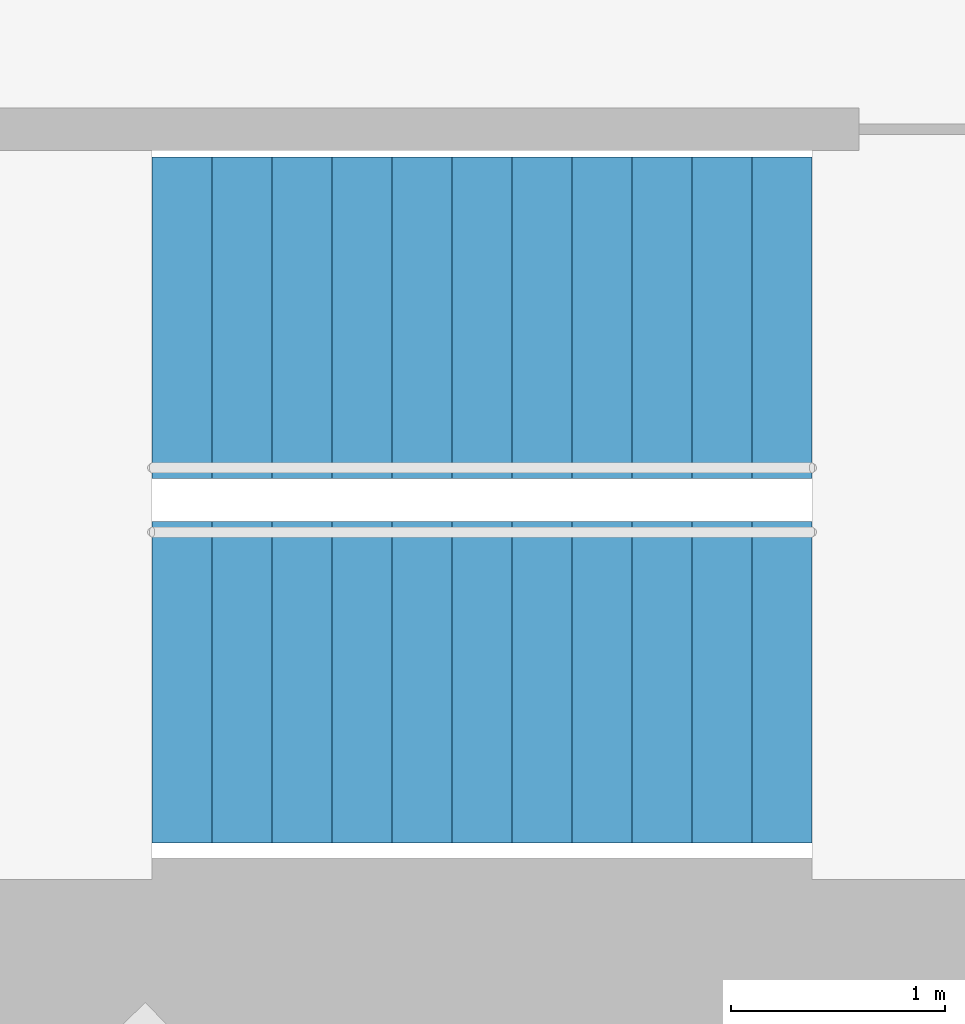
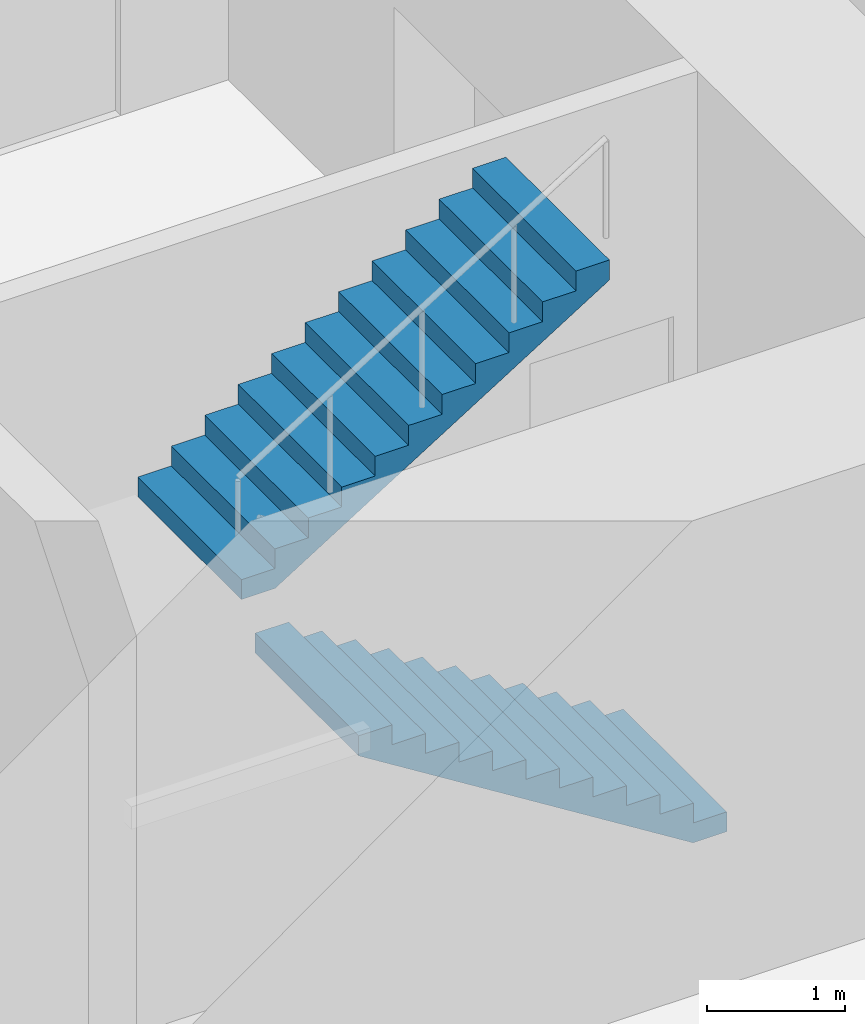
# One storey, part 17 of 18: 2 stair flights, 1 element without a shape of its own.
"""IFC4 building model written with IfcOpenShell, lengths in metres."""

from ifc_helpers import new_model, si_unit, direction, frame, origin, place, context, subcontext, project, spatial, triangles, material, type_object, element, aggregate, save


model = new_model("IFC4")

# Units and contexts
model_context = context("Model", 3, precision=1e-05, world=origin(), true_north=direction((0.0, 1.0)))
body_context = subcontext(model_context, "Body", "Model", "MODEL_VIEW")
ifc_project = project(units=[si_unit("LENGTHUNIT", "METRE"), si_unit("AREAUNIT", "SQUARE_METRE"), si_unit("VOLUMEUNIT", "CUBIC_METRE"), si_unit("PLANEANGLEUNIT", "RADIAN"), si_unit("MASSUNIT", "GRAM", prefix="KILO")], contexts=[model_context])

# Site, building, storey
site_placement = place(None, origin())
site = spatial("IfcSite", under=ifc_project, at=site_placement, CompositionType="ELEMENT")
building_placement = place(site_placement, origin())
building = spatial("IfcBuilding", under=site, at=building_placement, Name="Lantaw Convention Tower", CompositionType="ELEMENT")
storey_placement = place(building_placement, frame((0.0, 0.0, 176.199951171875)))
storey = spatial("IfcBuildingStorey", under=building, at=storey_placement, Name="L41", CompositionType="ELEMENT", Elevation=176.199951171875)

# Stair, stair flights
ifc_material = material(Name="Concrete C35/45", Category="concrete")
stair_type = type_object("IfcStairType", Name="Exit stair 1500 riser 175 in 2 flights", PredefinedType="HALF_TURN_STAIR", material=ifc_material)
stair_placement = place(storey_placement, origin())
stair = element("IfcStair", 1, at=stair_placement, inside=storey, type_object=stair_type, Name="Exit stair S2 L41", PredefinedType="HALF_TURN_STAIR")
stair_flight_type = type_object("IfcStairFlightType", Name="Stair flight 1500 riser 175", PredefinedType="STRAIGHT", material=ifc_material)
stair_flight_1_placement = place(storey_placement, frame((10.580078125, -5.97998046875, 0.0), z_axis=(0.0, 0.0, 1.0), x_axis=(-1.0, 0.0, 0.0)))
stair_flight_1 = element("IfcStairFlight", 2, at=stair_flight_1_placement, type_object=stair_flight_type, Name="S2 flight 1", NumberOfRisers=12, NumberOfTreads=11, PredefinedType="STRAIGHT", RiserHeight=0.175, TreadLength=0.28, context=body_context, shape_type="Tessellation", body=[
    triangles([(0.0, 0.75, 0.0), (0.0, 0.75, 0.175), (0.28, 0.75, 0.0), (0.28, 0.75, 0.175), (0.28, 0.75, 0.35), (0.28283517651771284, 0.75, 0.0), (0.28283517651771284, 0.75, 0.35), (0.56, 0.75, 0.17322801467642948), (0.56, 0.75, 0.35), (0.56, 0.75, 0.5249999999999999), (0.8400000000000001, 0.75, 0.34822801467642944), (0.8400000000000001, 0.75, 0.5249999999999999), (0.8400000000000001, 0.75, 0.7), (1.12, 0.75, 0.5232280146764294), (1.12, 0.75, 0.7), (1.12, 0.75, 0.875), (1.4000000000000001, 0.75, 0.6982280146764295), (1.4000000000000001, 0.75, 0.875), (1.4000000000000001, 0.75, 1.0499999999999998), (1.6800000000000002, 0.75, 0.8732280146764294), (1.6800000000000002, 0.75, 1.0499999999999998), (1.6800000000000002, 0.75, 1.2249999999999999), (1.9600000000000002, 0.75, 1.0482280146764293), (1.9600000000000002, 0.75, 1.2249999999999999), (1.9600000000000002, 0.75, 1.4), (2.24, 0.75, 1.2232280146764294), (2.24, 0.75, 1.4), (2.24, 0.75, 1.575), (2.5200000000000005, 0.75, 1.3982280146764294), (2.5200000000000005, 0.75, 1.575), (2.5200000000000005, 0.75, 1.75), (2.8000000000000003, 0.75, 1.5732280146764293), (2.8000000000000003, 0.75, 1.75), (2.8000000000000003, 0.75, 1.9249999999999998), (3.08, 0.75, 1.7482280146764293), (3.08, 0.75, 1.9249999999999998), (0.0, -0.75, 0.0), (0.0, -0.75, 0.175), (0.28, -0.75, 0.0), (0.28, -0.75, 0.175), (0.28, -0.75, 0.35), (0.28283517651771284, -0.75, 0.0), (0.28283517651771284, -0.75, 0.35), (0.56, -0.75, 0.17322801467642948), (0.56, -0.75, 0.35), (0.56, -0.75, 0.5249999999999999), (0.8400000000000001, -0.75, 0.34822801467642944), (0.8400000000000001, -0.75, 0.5249999999999999), (0.8400000000000001, -0.75, 0.7), (1.12, -0.75, 0.5232280146764294), (1.12, -0.75, 0.7), (1.12, -0.75, 0.875), (1.4000000000000001, -0.75, 0.6982280146764295), (1.4000000000000001, -0.75, 0.875), (1.4000000000000001, -0.75, 1.0499999999999998), (1.6800000000000002, -0.75, 0.8732280146764294), (1.6800000000000002, -0.75, 1.0499999999999998), (1.6800000000000002, -0.75, 1.2249999999999999), (1.9600000000000002, -0.75, 1.0482280146764293), (1.9600000000000002, -0.75, 1.2249999999999999), (1.9600000000000002, -0.75, 1.4), (2.24, -0.75, 1.2232280146764294), (2.24, -0.75, 1.4), (2.24, -0.75, 1.575), (2.5200000000000005, -0.75, 1.3982280146764294), (2.5200000000000005, -0.75, 1.575), (2.5200000000000005, -0.75, 1.75), (2.8000000000000003, -0.75, 1.5732280146764293), (2.8000000000000003, -0.75, 1.75), (2.8000000000000003, -0.75, 1.9249999999999998), (3.08, -0.75, 1.7482280146764293), (3.08, -0.75, 1.9249999999999998), (0.0, 0.15000000000000002, 0.175), (0.0, 0.15000000000000002, 0.0), (0.0, 0.0, 0.175), (0.0, 0.0, 0.0), (0.0, -0.15000000000000002, 0.175), (0.0, -0.15000000000000002, 0.0), (0.28, 0.15000000000000002, 0.35), (0.28, 0.15000000000000002, 0.175), (0.28, 0.0, 0.35), (0.28, 0.0, 0.175), (0.28, -0.15000000000000002, 0.35), (0.28, -0.15000000000000002, 0.175), (0.56, 0.15000000000000002, 0.5249999999999999), (0.56, 0.15000000000000002, 0.35), (0.56, 0.0, 0.5249999999999999), (0.56, 0.0, 0.35), (0.56, -0.15000000000000002, 0.5249999999999999), (0.56, -0.15000000000000002, 0.35), (0.8400000000000001, 0.15000000000000002, 0.7), (0.8400000000000001, 0.15000000000000002, 0.5249999999999999), (0.8400000000000001, 0.0, 0.7), (0.8400000000000001, 0.0, 0.5249999999999999), (0.8400000000000001, -0.15000000000000002, 0.7), (0.8400000000000001, -0.15000000000000002, 0.5249999999999999), (1.12, 0.15000000000000002, 0.875), (1.12, 0.15000000000000002, 0.7), (1.12, 0.0, 0.875), (1.12, 0.0, 0.7), (1.12, -0.15000000000000002, 0.875), (1.12, -0.15000000000000002, 0.7), (1.4000000000000001, 0.15000000000000002, 1.0499999999999998), (1.4000000000000001, 0.15000000000000002, 0.875), (1.4000000000000001, 0.0, 1.0499999999999998), (1.4000000000000001, 0.0, 0.875), (1.4000000000000001, -0.15000000000000002, 1.0499999999999998), (1.4000000000000001, -0.15000000000000002, 0.875), (1.6800000000000002, 0.15000000000000002, 1.2249999999999999), (1.6800000000000002, 0.15000000000000002, 1.0499999999999998), (1.6800000000000002, 0.0, 1.2249999999999999), (1.6800000000000002, 0.0, 1.0499999999999998), (1.6800000000000002, -0.15000000000000002, 1.2249999999999999), (1.6800000000000002, -0.15000000000000002, 1.0499999999999998), (1.9600000000000002, 0.15000000000000002, 1.4), (1.9600000000000002, 0.15000000000000002, 1.2249999999999999), (1.9600000000000002, 0.0, 1.4), (1.9600000000000002, 0.0, 1.2249999999999999), (1.9600000000000002, -0.15000000000000002, 1.4), (1.9600000000000002, -0.15000000000000002, 1.2249999999999999), (2.24, 0.15000000000000002, 1.575), (2.24, 0.15000000000000002, 1.4), (2.24, 0.0, 1.575), (2.24, 0.0, 1.4), (2.24, -0.15000000000000002, 1.575), (2.24, -0.15000000000000002, 1.4), (2.5200000000000005, 0.15000000000000002, 1.75), (2.5200000000000005, 0.15000000000000002, 1.575), (2.5200000000000005, 0.0, 1.75), (2.5200000000000005, 0.0, 1.575), (2.5200000000000005, -0.15000000000000002, 1.75), (2.5200000000000005, -0.15000000000000002, 1.575), (2.8000000000000003, 0.15000000000000002, 1.9249999999999998), (2.8000000000000003, 0.15000000000000002, 1.75), (2.8000000000000003, 0.0, 1.9249999999999998), (2.8000000000000003, 0.0, 1.75), (2.8000000000000003, -0.15000000000000002, 1.9249999999999998), (2.8000000000000003, -0.15000000000000002, 1.75), (0.28283517651771284, 0.15000000000000002, 0.35), (0.28283517651771284, 0.0, 0.35), (0.28283517651771284, -0.15000000000000002, 0.35), (3.08, 0.15000000000000002, 1.9249999999999998), (3.08, 0.0, 1.9249999999999998), (3.08, -0.15000000000000002, 1.9249999999999998), (3.08, 0.15000000000000002, 1.7482280146764293), (3.08, 0.0, 1.7482280146764293), (3.08, -0.15000000000000002, 1.7482280146764293), (2.8000000000000003, 0.15000000000000002, 1.5732280146764293), (2.8000000000000003, 0.0, 1.5732280146764293), (2.8000000000000003, -0.15000000000000002, 1.5732280146764293), (2.5200000000000005, 0.15000000000000002, 1.3982280146764294), (2.5200000000000005, 0.0, 1.3982280146764294), (2.5200000000000005, -0.15000000000000002, 1.3982280146764294), (2.24, 0.15000000000000002, 1.2232280146764294), (2.24, 0.0, 1.2232280146764294), (2.24, -0.15000000000000002, 1.2232280146764294), (1.9600000000000002, 0.15000000000000002, 1.0482280146764293), (1.9600000000000002, 0.0, 1.0482280146764293), (1.9600000000000002, -0.15000000000000002, 1.0482280146764293), (1.6800000000000002, 0.15000000000000002, 0.8732280146764294), (1.6800000000000002, 0.0, 0.8732280146764294), (1.6800000000000002, -0.15000000000000002, 0.8732280146764294), (1.4000000000000001, 0.15000000000000002, 0.6982280146764295), (1.4000000000000001, 0.0, 0.6982280146764295), (1.4000000000000001, -0.15000000000000002, 0.6982280146764295), (1.12, 0.15000000000000002, 0.5232280146764294), (1.12, 0.0, 0.5232280146764294), (1.12, -0.15000000000000002, 0.5232280146764294), (0.8400000000000001, 0.15000000000000002, 0.34822801467642944), (0.8400000000000001, 0.0, 0.34822801467642944), (0.8400000000000001, -0.15000000000000002, 0.34822801467642944), (0.56, 0.15000000000000002, 0.17322801467642948), (0.56, 0.0, 0.17322801467642948), (0.56, -0.15000000000000002, 0.17322801467642948), (0.28283517651771284, 0.15000000000000002, 0.0), (0.28283517651771284, 0.0, 0.0), (0.28283517651771284, -0.15000000000000002, 0.0), (0.28, 0.15000000000000002, 0.0), (0.28, 0.0, 0.0), (0.28, -0.15000000000000002, 0.0)], [[1, 4, 3], [1, 2, 4], [3, 4, 6], [4, 7, 6], [4, 5, 7], [6, 9, 8], [6, 7, 9], [8, 9, 11], [9, 12, 11], [9, 10, 12], [11, 12, 14], [12, 15, 14], [12, 13, 15], [14, 15, 17], [15, 18, 17], [15, 16, 18], [17, 18, 20], [18, 21, 20], [18, 19, 21], [20, 21, 23], [21, 24, 23], [21, 22, 24], [23, 24, 26], [24, 27, 26], [24, 25, 27], [26, 27, 29], [27, 30, 29], [27, 28, 30], [29, 30, 32], [30, 33, 32], [30, 31, 33], [32, 33, 35], [33, 36, 35], [33, 34, 36], [37, 39, 40], [37, 40, 38], [39, 42, 40], [40, 42, 43], [40, 43, 41], [42, 44, 45], [42, 45, 43], [44, 47, 45], [45, 47, 48], [45, 48, 46], [47, 50, 48], [48, 50, 51], [48, 51, 49], [50, 53, 51], [51, 53, 54], [51, 54, 52], [53, 56, 54], [54, 56, 57], [54, 57, 55], [56, 59, 57], [57, 59, 60], [57, 60, 58], [59, 62, 60], [60, 62, 63], [60, 63, 61], [62, 65, 63], [63, 65, 66], [63, 66, 64], [65, 68, 66], [66, 68, 69], [66, 69, 67], [68, 71, 69], [69, 71, 72], [69, 72, 70], [1, 73, 2], [1, 74, 73], [74, 75, 73], [74, 76, 75], [76, 77, 75], [76, 78, 77], [78, 38, 77], [78, 37, 38], [4, 79, 5], [4, 80, 79], [80, 81, 79], [80, 82, 81], [82, 83, 81], [82, 84, 83], [84, 41, 83], [84, 40, 41], [9, 85, 10], [9, 86, 85], [86, 87, 85], [86, 88, 87], [88, 89, 87], [88, 90, 89], [90, 46, 89], [90, 45, 46], [12, 91, 13], [12, 92, 91], [92, 93, 91], [92, 94, 93], [94, 95, 93], [94, 96, 95], [96, 49, 95], [96, 48, 49], [15, 97, 16], [15, 98, 97], [98, 99, 97], [98, 100, 99], [100, 101, 99], [100, 102, 101], [102, 52, 101], [102, 51, 52], [18, 103, 19], [18, 104, 103], [104, 105, 103], [104, 106, 105], [106, 107, 105], [106, 108, 107], [108, 55, 107], [108, 54, 55], [21, 109, 22], [21, 110, 109], [110, 111, 109], [110, 112, 111], [112, 113, 111], [112, 114, 113], [114, 58, 113], [114, 57, 58], [24, 115, 25], [24, 116, 115], [116, 117, 115], [116, 118, 117], [118, 119, 117], [118, 120, 119], [120, 61, 119], [120, 60, 61], [27, 121, 28], [27, 122, 121], [122, 123, 121], [122, 124, 123], [124, 125, 123], [124, 126, 125], [126, 64, 125], [126, 63, 64], [30, 127, 31], [30, 128, 127], [128, 129, 127], [128, 130, 129], [130, 131, 129], [130, 132, 131], [132, 67, 131], [132, 66, 67], [33, 133, 34], [33, 134, 133], [134, 135, 133], [134, 136, 135], [136, 137, 135], [136, 138, 137], [138, 70, 137], [138, 69, 70], [2, 80, 4], [2, 73, 80], [73, 82, 80], [73, 75, 82], [75, 84, 82], [75, 77, 84], [77, 40, 84], [77, 38, 40], [5, 139, 7], [5, 79, 139], [79, 140, 139], [79, 81, 140], [81, 141, 140], [81, 83, 141], [83, 43, 141], [83, 41, 43], [7, 86, 9], [7, 139, 86], [139, 88, 86], [139, 140, 88], [140, 90, 88], [140, 141, 90], [141, 45, 90], [141, 43, 45], [10, 92, 12], [10, 85, 92], [85, 94, 92], [85, 87, 94], [87, 96, 94], [87, 89, 96], [89, 48, 96], [89, 46, 48], [13, 98, 15], [13, 91, 98], [91, 100, 98], [91, 93, 100], [93, 102, 100], [93, 95, 102], [95, 51, 102], [95, 49, 51], [16, 104, 18], [16, 97, 104], [97, 106, 104], [97, 99, 106], [99, 108, 106], [99, 101, 108], [101, 54, 108], [101, 52, 54], [19, 110, 21], [19, 103, 110], [103, 112, 110], [103, 105, 112], [105, 114, 112], [105, 107, 114], [107, 57, 114], [107, 55, 57], [22, 116, 24], [22, 109, 116], [109, 118, 116], [109, 111, 118], [111, 120, 118], [111, 113, 120], [113, 60, 120], [113, 58, 60], [25, 122, 27], [25, 115, 122], [115, 124, 122], [115, 117, 124], [117, 126, 124], [117, 119, 126], [119, 63, 126], [119, 61, 63], [28, 128, 30], [28, 121, 128], [121, 130, 128], [121, 123, 130], [123, 132, 130], [123, 125, 132], [125, 66, 132], [125, 64, 66], [31, 134, 33], [31, 127, 134], [127, 136, 134], [127, 129, 136], [129, 138, 136], [129, 131, 138], [131, 69, 138], [131, 67, 69], [34, 142, 36], [34, 133, 142], [133, 143, 142], [133, 135, 143], [135, 144, 143], [135, 137, 144], [137, 72, 144], [137, 70, 72], [36, 145, 35], [36, 142, 145], [142, 146, 145], [142, 143, 146], [143, 147, 146], [143, 144, 147], [144, 71, 147], [144, 72, 71], [35, 148, 32], [35, 145, 148], [145, 149, 148], [145, 146, 149], [146, 150, 149], [146, 147, 150], [147, 68, 150], [147, 71, 68], [32, 151, 29], [32, 148, 151], [148, 152, 151], [148, 149, 152], [149, 153, 152], [149, 150, 153], [150, 65, 153], [150, 68, 65], [29, 154, 26], [29, 151, 154], [151, 155, 154], [151, 152, 155], [152, 156, 155], [152, 153, 156], [153, 62, 156], [153, 65, 62], [26, 157, 23], [26, 154, 157], [154, 158, 157], [154, 155, 158], [155, 159, 158], [155, 156, 159], [156, 59, 159], [156, 62, 59], [23, 160, 20], [23, 157, 160], [157, 161, 160], [157, 158, 161], [158, 162, 161], [158, 159, 162], [159, 56, 162], [159, 59, 56], [20, 163, 17], [20, 160, 163], [160, 164, 163], [160, 161, 164], [161, 165, 164], [161, 162, 165], [162, 53, 165], [162, 56, 53], [17, 166, 14], [17, 163, 166], [163, 167, 166], [163, 164, 167], [164, 168, 167], [164, 165, 168], [165, 50, 168], [165, 53, 50], [14, 169, 11], [14, 166, 169], [166, 170, 169], [166, 167, 170], [167, 171, 170], [167, 168, 171], [168, 47, 171], [168, 50, 47], [11, 172, 8], [11, 169, 172], [169, 173, 172], [169, 170, 173], [170, 174, 173], [170, 171, 174], [171, 44, 174], [171, 47, 44], [8, 175, 6], [8, 172, 175], [172, 176, 175], [172, 173, 176], [173, 177, 176], [173, 174, 177], [174, 42, 177], [174, 44, 42], [6, 178, 3], [6, 175, 178], [175, 179, 178], [175, 176, 179], [176, 180, 179], [176, 177, 180], [177, 39, 180], [177, 42, 39], [3, 74, 1], [3, 178, 74], [178, 76, 74], [178, 179, 76], [179, 78, 76], [179, 180, 78], [180, 37, 78], [180, 39, 37]], closed=True),
])
stair_flight_2_placement = place(storey_placement, frame((7.5, -4.280029296875, 2.10009765625), z_axis=(0.0, 0.0, 1.0), x_axis=(1.0, 0.0, 0.0)))
stair_flight_2 = element("IfcStairFlight", 3, at=stair_flight_2_placement, type_object=stair_flight_type, Name="S2 flight 2", NumberOfRisers=12, NumberOfTreads=11, PredefinedType="STRAIGHT", RiserHeight=0.175, TreadLength=0.28, context=body_context, shape_type="Tessellation", body=[
    triangles([(0.0, 0.75, 0.0), (0.0, 0.75, 0.175), (0.28, 0.75, 0.0), (0.28, 0.75, 0.175), (0.28, 0.75, 0.35), (0.28283517651771284, 0.75, 0.0), (0.28283517651771284, 0.75, 0.35), (0.56, 0.75, 0.17322801467642948), (0.56, 0.75, 0.35), (0.56, 0.75, 0.5249999999999999), (0.8400000000000001, 0.75, 0.34822801467642944), (0.8400000000000001, 0.75, 0.5249999999999999), (0.8400000000000001, 0.75, 0.7), (1.12, 0.75, 0.5232280146764294), (1.12, 0.75, 0.7), (1.12, 0.75, 0.875), (1.4000000000000001, 0.75, 0.6982280146764295), (1.4000000000000001, 0.75, 0.875), (1.4000000000000001, 0.75, 1.0499999999999998), (1.6800000000000002, 0.75, 0.8732280146764294), (1.6800000000000002, 0.75, 1.0499999999999998), (1.6800000000000002, 0.75, 1.2249999999999999), (1.9600000000000002, 0.75, 1.0482280146764293), (1.9600000000000002, 0.75, 1.2249999999999999), (1.9600000000000002, 0.75, 1.4), (2.24, 0.75, 1.2232280146764294), (2.24, 0.75, 1.4), (2.24, 0.75, 1.575), (2.5200000000000005, 0.75, 1.3982280146764294), (2.5200000000000005, 0.75, 1.575), (2.5200000000000005, 0.75, 1.75), (2.8000000000000003, 0.75, 1.5732280146764293), (2.8000000000000003, 0.75, 1.75), (2.8000000000000003, 0.75, 1.9249999999999998), (3.08, 0.75, 1.7482280146764293), (3.08, 0.75, 1.9249999999999998), (0.0, -0.75, 0.0), (0.0, -0.75, 0.175), (0.28, -0.75, 0.0), (0.28, -0.75, 0.175), (0.28, -0.75, 0.35), (0.28283517651771284, -0.75, 0.0), (0.28283517651771284, -0.75, 0.35), (0.56, -0.75, 0.17322801467642948), (0.56, -0.75, 0.35), (0.56, -0.75, 0.5249999999999999), (0.8400000000000001, -0.75, 0.34822801467642944), (0.8400000000000001, -0.75, 0.5249999999999999), (0.8400000000000001, -0.75, 0.7), (1.12, -0.75, 0.5232280146764294), (1.12, -0.75, 0.7), (1.12, -0.75, 0.875), (1.4000000000000001, -0.75, 0.6982280146764295), (1.4000000000000001, -0.75, 0.875), (1.4000000000000001, -0.75, 1.0499999999999998), (1.6800000000000002, -0.75, 0.8732280146764294), (1.6800000000000002, -0.75, 1.0499999999999998), (1.6800000000000002, -0.75, 1.2249999999999999), (1.9600000000000002, -0.75, 1.0482280146764293), (1.9600000000000002, -0.75, 1.2249999999999999), (1.9600000000000002, -0.75, 1.4), (2.24, -0.75, 1.2232280146764294), (2.24, -0.75, 1.4), (2.24, -0.75, 1.575), (2.5200000000000005, -0.75, 1.3982280146764294), (2.5200000000000005, -0.75, 1.575), (2.5200000000000005, -0.75, 1.75), (2.8000000000000003, -0.75, 1.5732280146764293), (2.8000000000000003, -0.75, 1.75), (2.8000000000000003, -0.75, 1.9249999999999998), (3.08, -0.75, 1.7482280146764293), (3.08, -0.75, 1.9249999999999998), (0.0, 0.15000000000000002, 0.175), (0.0, 0.15000000000000002, 0.0), (0.0, 0.0, 0.175), (0.0, 0.0, 0.0), (0.0, -0.15000000000000002, 0.175), (0.0, -0.15000000000000002, 0.0), (0.28, 0.15000000000000002, 0.35), (0.28, 0.15000000000000002, 0.175), (0.28, 0.0, 0.35), (0.28, 0.0, 0.175), (0.28, -0.15000000000000002, 0.35), (0.28, -0.15000000000000002, 0.175), (0.56, 0.15000000000000002, 0.5249999999999999), (0.56, 0.15000000000000002, 0.35), (0.56, 0.0, 0.5249999999999999), (0.56, 0.0, 0.35), (0.56, -0.15000000000000002, 0.5249999999999999), (0.56, -0.15000000000000002, 0.35), (0.8400000000000001, 0.15000000000000002, 0.7), (0.8400000000000001, 0.15000000000000002, 0.5249999999999999), (0.8400000000000001, 0.0, 0.7), (0.8400000000000001, 0.0, 0.5249999999999999), (0.8400000000000001, -0.15000000000000002, 0.7), (0.8400000000000001, -0.15000000000000002, 0.5249999999999999), (1.12, 0.15000000000000002, 0.875), (1.12, 0.15000000000000002, 0.7), (1.12, 0.0, 0.875), (1.12, 0.0, 0.7), (1.12, -0.15000000000000002, 0.875), (1.12, -0.15000000000000002, 0.7), (1.4000000000000001, 0.15000000000000002, 1.0499999999999998), (1.4000000000000001, 0.15000000000000002, 0.875), (1.4000000000000001, 0.0, 1.0499999999999998), (1.4000000000000001, 0.0, 0.875), (1.4000000000000001, -0.15000000000000002, 1.0499999999999998), (1.4000000000000001, -0.15000000000000002, 0.875), (1.6800000000000002, 0.15000000000000002, 1.2249999999999999), (1.6800000000000002, 0.15000000000000002, 1.0499999999999998), (1.6800000000000002, 0.0, 1.2249999999999999), (1.6800000000000002, 0.0, 1.0499999999999998), (1.6800000000000002, -0.15000000000000002, 1.2249999999999999), (1.6800000000000002, -0.15000000000000002, 1.0499999999999998), (1.9600000000000002, 0.15000000000000002, 1.4), (1.9600000000000002, 0.15000000000000002, 1.2249999999999999), (1.9600000000000002, 0.0, 1.4), (1.9600000000000002, 0.0, 1.2249999999999999), (1.9600000000000002, -0.15000000000000002, 1.4), (1.9600000000000002, -0.15000000000000002, 1.2249999999999999), (2.24, 0.15000000000000002, 1.575), (2.24, 0.15000000000000002, 1.4), (2.24, 0.0, 1.575), (2.24, 0.0, 1.4), (2.24, -0.15000000000000002, 1.575), (2.24, -0.15000000000000002, 1.4), (2.5200000000000005, 0.15000000000000002, 1.75), (2.5200000000000005, 0.15000000000000002, 1.575), (2.5200000000000005, 0.0, 1.75), (2.5200000000000005, 0.0, 1.575), (2.5200000000000005, -0.15000000000000002, 1.75), (2.5200000000000005, -0.15000000000000002, 1.575), (2.8000000000000003, 0.15000000000000002, 1.9249999999999998), (2.8000000000000003, 0.15000000000000002, 1.75), (2.8000000000000003, 0.0, 1.9249999999999998), (2.8000000000000003, 0.0, 1.75), (2.8000000000000003, -0.15000000000000002, 1.9249999999999998), (2.8000000000000003, -0.15000000000000002, 1.75), (0.28283517651771284, 0.15000000000000002, 0.35), (0.28283517651771284, 0.0, 0.35), (0.28283517651771284, -0.15000000000000002, 0.35), (3.08, 0.15000000000000002, 1.9249999999999998), (3.08, 0.0, 1.9249999999999998), (3.08, -0.15000000000000002, 1.9249999999999998), (3.08, 0.15000000000000002, 1.7482280146764293), (3.08, 0.0, 1.7482280146764293), (3.08, -0.15000000000000002, 1.7482280146764293), (2.8000000000000003, 0.15000000000000002, 1.5732280146764293), (2.8000000000000003, 0.0, 1.5732280146764293), (2.8000000000000003, -0.15000000000000002, 1.5732280146764293), (2.5200000000000005, 0.15000000000000002, 1.3982280146764294), (2.5200000000000005, 0.0, 1.3982280146764294), (2.5200000000000005, -0.15000000000000002, 1.3982280146764294), (2.24, 0.15000000000000002, 1.2232280146764294), (2.24, 0.0, 1.2232280146764294), (2.24, -0.15000000000000002, 1.2232280146764294), (1.9600000000000002, 0.15000000000000002, 1.0482280146764293), (1.9600000000000002, 0.0, 1.0482280146764293), (1.9600000000000002, -0.15000000000000002, 1.0482280146764293), (1.6800000000000002, 0.15000000000000002, 0.8732280146764294), (1.6800000000000002, 0.0, 0.8732280146764294), (1.6800000000000002, -0.15000000000000002, 0.8732280146764294), (1.4000000000000001, 0.15000000000000002, 0.6982280146764295), (1.4000000000000001, 0.0, 0.6982280146764295), (1.4000000000000001, -0.15000000000000002, 0.6982280146764295), (1.12, 0.15000000000000002, 0.5232280146764294), (1.12, 0.0, 0.5232280146764294), (1.12, -0.15000000000000002, 0.5232280146764294), (0.8400000000000001, 0.15000000000000002, 0.34822801467642944), (0.8400000000000001, 0.0, 0.34822801467642944), (0.8400000000000001, -0.15000000000000002, 0.34822801467642944), (0.56, 0.15000000000000002, 0.17322801467642948), (0.56, 0.0, 0.17322801467642948), (0.56, -0.15000000000000002, 0.17322801467642948), (0.28283517651771284, 0.15000000000000002, 0.0), (0.28283517651771284, 0.0, 0.0), (0.28283517651771284, -0.15000000000000002, 0.0), (0.28, 0.15000000000000002, 0.0), (0.28, 0.0, 0.0), (0.28, -0.15000000000000002, 0.0)], [[1, 4, 3], [1, 2, 4], [3, 4, 6], [4, 7, 6], [4, 5, 7], [6, 9, 8], [6, 7, 9], [8, 9, 11], [9, 12, 11], [9, 10, 12], [11, 12, 14], [12, 15, 14], [12, 13, 15], [14, 15, 17], [15, 18, 17], [15, 16, 18], [17, 18, 20], [18, 21, 20], [18, 19, 21], [20, 21, 23], [21, 24, 23], [21, 22, 24], [23, 24, 26], [24, 27, 26], [24, 25, 27], [26, 27, 29], [27, 30, 29], [27, 28, 30], [29, 30, 32], [30, 33, 32], [30, 31, 33], [32, 33, 35], [33, 36, 35], [33, 34, 36], [37, 39, 40], [37, 40, 38], [39, 42, 40], [40, 42, 43], [40, 43, 41], [42, 44, 45], [42, 45, 43], [44, 47, 45], [45, 47, 48], [45, 48, 46], [47, 50, 48], [48, 50, 51], [48, 51, 49], [50, 53, 51], [51, 53, 54], [51, 54, 52], [53, 56, 54], [54, 56, 57], [54, 57, 55], [56, 59, 57], [57, 59, 60], [57, 60, 58], [59, 62, 60], [60, 62, 63], [60, 63, 61], [62, 65, 63], [63, 65, 66], [63, 66, 64], [65, 68, 66], [66, 68, 69], [66, 69, 67], [68, 71, 69], [69, 71, 72], [69, 72, 70], [1, 73, 2], [1, 74, 73], [74, 75, 73], [74, 76, 75], [76, 77, 75], [76, 78, 77], [78, 38, 77], [78, 37, 38], [4, 79, 5], [4, 80, 79], [80, 81, 79], [80, 82, 81], [82, 83, 81], [82, 84, 83], [84, 41, 83], [84, 40, 41], [9, 85, 10], [9, 86, 85], [86, 87, 85], [86, 88, 87], [88, 89, 87], [88, 90, 89], [90, 46, 89], [90, 45, 46], [12, 91, 13], [12, 92, 91], [92, 93, 91], [92, 94, 93], [94, 95, 93], [94, 96, 95], [96, 49, 95], [96, 48, 49], [15, 97, 16], [15, 98, 97], [98, 99, 97], [98, 100, 99], [100, 101, 99], [100, 102, 101], [102, 52, 101], [102, 51, 52], [18, 103, 19], [18, 104, 103], [104, 105, 103], [104, 106, 105], [106, 107, 105], [106, 108, 107], [108, 55, 107], [108, 54, 55], [21, 109, 22], [21, 110, 109], [110, 111, 109], [110, 112, 111], [112, 113, 111], [112, 114, 113], [114, 58, 113], [114, 57, 58], [24, 115, 25], [24, 116, 115], [116, 117, 115], [116, 118, 117], [118, 119, 117], [118, 120, 119], [120, 61, 119], [120, 60, 61], [27, 121, 28], [27, 122, 121], [122, 123, 121], [122, 124, 123], [124, 125, 123], [124, 126, 125], [126, 64, 125], [126, 63, 64], [30, 127, 31], [30, 128, 127], [128, 129, 127], [128, 130, 129], [130, 131, 129], [130, 132, 131], [132, 67, 131], [132, 66, 67], [33, 133, 34], [33, 134, 133], [134, 135, 133], [134, 136, 135], [136, 137, 135], [136, 138, 137], [138, 70, 137], [138, 69, 70], [2, 80, 4], [2, 73, 80], [73, 82, 80], [73, 75, 82], [75, 84, 82], [75, 77, 84], [77, 40, 84], [77, 38, 40], [5, 139, 7], [5, 79, 139], [79, 140, 139], [79, 81, 140], [81, 141, 140], [81, 83, 141], [83, 43, 141], [83, 41, 43], [7, 86, 9], [7, 139, 86], [139, 88, 86], [139, 140, 88], [140, 90, 88], [140, 141, 90], [141, 45, 90], [141, 43, 45], [10, 92, 12], [10, 85, 92], [85, 94, 92], [85, 87, 94], [87, 96, 94], [87, 89, 96], [89, 48, 96], [89, 46, 48], [13, 98, 15], [13, 91, 98], [91, 100, 98], [91, 93, 100], [93, 102, 100], [93, 95, 102], [95, 51, 102], [95, 49, 51], [16, 104, 18], [16, 97, 104], [97, 106, 104], [97, 99, 106], [99, 108, 106], [99, 101, 108], [101, 54, 108], [101, 52, 54], [19, 110, 21], [19, 103, 110], [103, 112, 110], [103, 105, 112], [105, 114, 112], [105, 107, 114], [107, 57, 114], [107, 55, 57], [22, 116, 24], [22, 109, 116], [109, 118, 116], [109, 111, 118], [111, 120, 118], [111, 113, 120], [113, 60, 120], [113, 58, 60], [25, 122, 27], [25, 115, 122], [115, 124, 122], [115, 117, 124], [117, 126, 124], [117, 119, 126], [119, 63, 126], [119, 61, 63], [28, 128, 30], [28, 121, 128], [121, 130, 128], [121, 123, 130], [123, 132, 130], [123, 125, 132], [125, 66, 132], [125, 64, 66], [31, 134, 33], [31, 127, 134], [127, 136, 134], [127, 129, 136], [129, 138, 136], [129, 131, 138], [131, 69, 138], [131, 67, 69], [34, 142, 36], [34, 133, 142], [133, 143, 142], [133, 135, 143], [135, 144, 143], [135, 137, 144], [137, 72, 144], [137, 70, 72], [36, 145, 35], [36, 142, 145], [142, 146, 145], [142, 143, 146], [143, 147, 146], [143, 144, 147], [144, 71, 147], [144, 72, 71], [35, 148, 32], [35, 145, 148], [145, 149, 148], [145, 146, 149], [146, 150, 149], [146, 147, 150], [147, 68, 150], [147, 71, 68], [32, 151, 29], [32, 148, 151], [148, 152, 151], [148, 149, 152], [149, 153, 152], [149, 150, 153], [150, 65, 153], [150, 68, 65], [29, 154, 26], [29, 151, 154], [151, 155, 154], [151, 152, 155], [152, 156, 155], [152, 153, 156], [153, 62, 156], [153, 65, 62], [26, 157, 23], [26, 154, 157], [154, 158, 157], [154, 155, 158], [155, 159, 158], [155, 156, 159], [156, 59, 159], [156, 62, 59], [23, 160, 20], [23, 157, 160], [157, 161, 160], [157, 158, 161], [158, 162, 161], [158, 159, 162], [159, 56, 162], [159, 59, 56], [20, 163, 17], [20, 160, 163], [160, 164, 163], [160, 161, 164], [161, 165, 164], [161, 162, 165], [162, 53, 165], [162, 56, 53], [17, 166, 14], [17, 163, 166], [163, 167, 166], [163, 164, 167], [164, 168, 167], [164, 165, 168], [165, 50, 168], [165, 53, 50], [14, 169, 11], [14, 166, 169], [166, 170, 169], [166, 167, 170], [167, 171, 170], [167, 168, 171], [168, 47, 171], [168, 50, 47], [11, 172, 8], [11, 169, 172], [169, 173, 172], [169, 170, 173], [170, 174, 173], [170, 171, 174], [171, 44, 174], [171, 47, 44], [8, 175, 6], [8, 172, 175], [172, 176, 175], [172, 173, 176], [173, 177, 176], [173, 174, 177], [174, 42, 177], [174, 44, 42], [6, 178, 3], [6, 175, 178], [175, 179, 178], [175, 176, 179], [176, 180, 179], [176, 177, 180], [177, 39, 180], [177, 42, 39], [3, 74, 1], [3, 178, 74], [178, 76, 74], [178, 179, 76], [179, 78, 76], [179, 180, 78], [180, 37, 78], [180, 39, 37]], closed=True),
])
aggregate(stair, [stair_flight_1, stair_flight_2])

save(model, "model.ifc")
